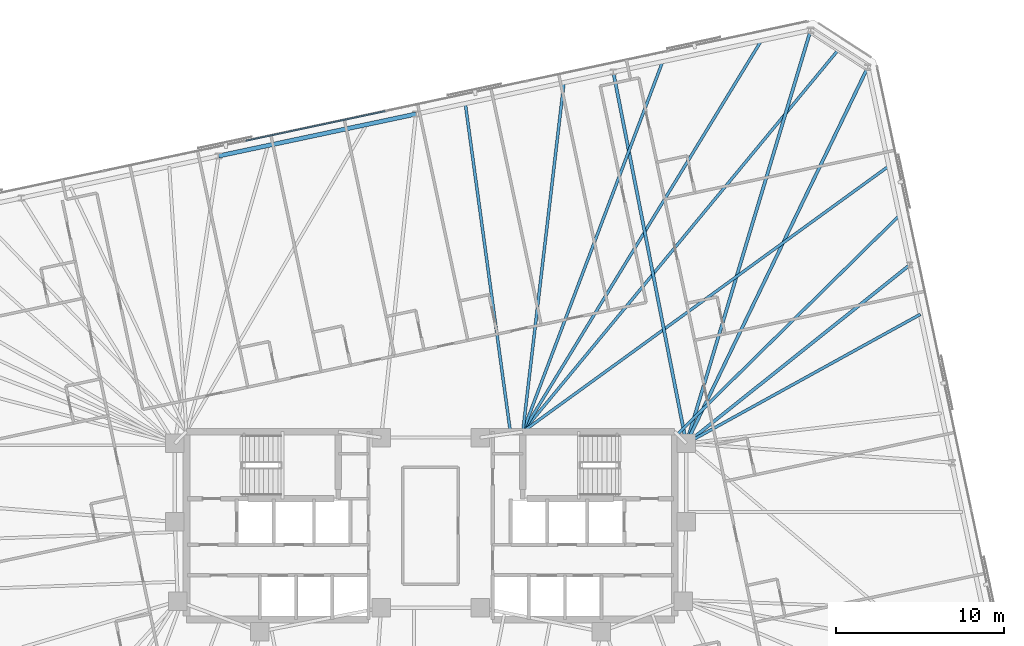
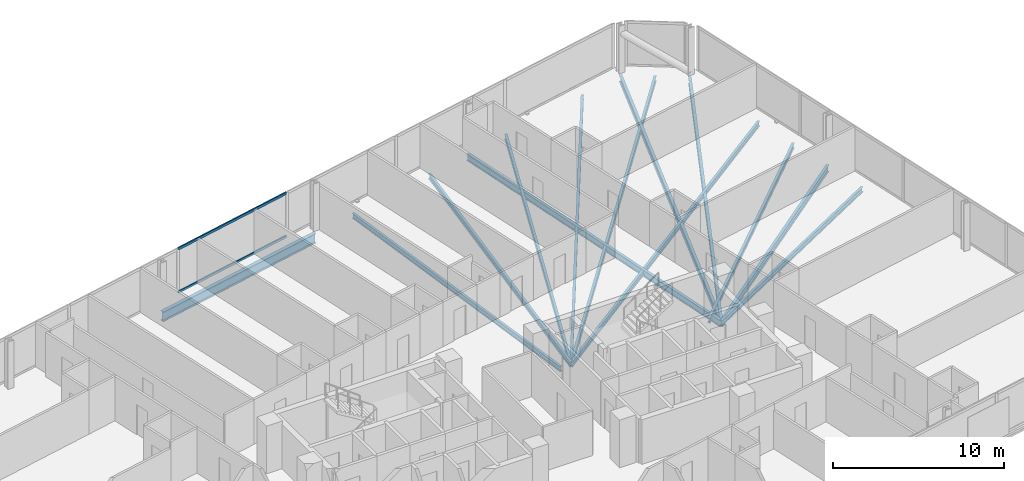
# One storey, part 10 of 20: 13 beams, 2 members, 1 element without a shape of its own.
"""IFC4 building model written with IfcOpenShell, lengths in metres."""

from ifc_helpers import new_model, si_unit, direction, frame, origin, origin_2d, place, context, subcontext, project, spatial, rectangle, i_section, extrude, material, material_profile, profile_set, type_object, element, aggregate, save


model = new_model("IFC4")

# Units and contexts
model_context = context("Model", 3, precision=1e-05, world=origin(), true_north=direction((0.0, 1.0)))
body_context = subcontext(model_context, "Body", "Model", "MODEL_VIEW")
ifc_project = project(units=[si_unit("LENGTHUNIT", "METRE"), si_unit("AREAUNIT", "SQUARE_METRE"), si_unit("VOLUMEUNIT", "CUBIC_METRE"), si_unit("PLANEANGLEUNIT", "RADIAN"), si_unit("MASSUNIT", "GRAM", prefix="KILO")], contexts=[model_context])

# Site, building, storey
site_placement = place(None, origin())
site = spatial("IfcSite", under=ifc_project, at=site_placement, CompositionType="ELEMENT")
building_placement = place(site_placement, origin())
building = spatial("IfcBuilding", under=site, at=building_placement, Name="Menara Jurai Vektor", CompositionType="ELEMENT")
storey_placement = place(building_placement, frame((0.0, 0.0, 185.39990234375)))
storey = spatial("IfcBuildingStorey", under=building, at=storey_placement, Name="L48", CompositionType="ELEMENT", Elevation=185.39990234375)

# Curtain wall, members
ifc_material_1 = material(Name="Anodised Pale Aluminium & Low-E Double Glazing", Category="aluminium")
curtain_wall_type = type_object("IfcCurtainWallType", Name="CW-BLK3", PredefinedType="NOTDEFINED", material=ifc_material_1)
curtain_wall_placement = place(storey_placement, origin())
curtain_wall = element("IfcCurtainWall", 1, at=curtain_wall_placement, inside=storey, type_object=curtain_wall_type, Name="Unitised Curtain Wall L48 F05", PredefinedType="NOTDEFINED")
ifc_material_2 = material(Name="Anodised Pale Aluminium Transom", Category="aluminium")
ifc_material_profile_1 = material_profile(ifc_material_2, rectangle(XDim=0.0849609375, YDim=0.175048828125, at=origin_2d()), Name="ALU TRN 85x175")
ifc_profile_set_1 = profile_set([ifc_material_profile_1], Name="Anodised Pale Aluminium Transom")
member_type = type_object("IfcMemberType", Name="CW-BLK3-TRN", PredefinedType="USERDEFINED", material=ifc_profile_set_1)
member_1_placement = place(storey_placement, frame((-2.716796875, 24.712890625, 0.04248046875), z_axis=(-0.978153589924, -0.207883511896, 0.0), x_axis=(0.207883511896, -0.978153589924, 0.0)))
member_1 = element("IfcMember", 2, at=member_1_placement, type_object=member_type, Name="CW-03 transom 4.1", ObjectType="TRANSOM", PredefinedType="USERDEFINED", context=body_context, shape_type="SweptSolid", body=[
    extrude(rectangle(XDim=0.0849609375, YDim=0.175048828125, at=origin_2d()), origin(), (0.0, 0.0, 1.0), 8.4921875),
])
member_2_placement = place(storey_placement, frame((-2.716796875, 24.712890625, 3.132568359375), z_axis=(-0.978153589924, -0.207883511896, 0.0), x_axis=(0.207883511896, -0.978153589924, 0.0)))
member_2 = element("IfcMember", 3, at=member_2_placement, type_object=member_type, Name="CW-03 transom 4.2", ObjectType="TRANSOM", PredefinedType="USERDEFINED", context=body_context, shape_type="SweptSolid", body=[
    extrude(rectangle(XDim=0.0849609375, YDim=0.175048828125, at=origin_2d()), origin(), (0.0, 0.0, 1.0), 8.4921875),
])
aggregate(curtain_wall, [member_1, member_2])

# Beams
ifc_material_3 = material(Name="Steel S355", Category="steel")
ifc_material_profile_2 = material_profile(ifc_material_3, i_section(OverallWidth=0.19091796875, OverallDepth=0.4599609375, WebThickness=0.010009765625, FlangeThickness=0.01611328125, FilletRadius=0.010009765625, at=origin_2d()), Name="UKB 457x191x82")
ifc_profile_set_2 = profile_set([ifc_material_profile_2], Name="Steel S355")
beam_type_1 = type_object("IfcBeamType", Name="STR-BM-457", PredefinedType="BEAM", material=ifc_profile_set_2)
beam_1_placement = place(storey_placement, frame((28.5771484375, 15.544921875, -0.454833984375), z_axis=(-0.781346163898, -0.624097886683, 0.0), x_axis=(0.624097886683, -0.781346163898, 0.0)))
element("IfcBeam", 4, at=beam_1_placement, inside=storey, type_object=beam_type_1, Name="Radial Floor Girder L48-E3", PredefinedType="BEAM", context=body_context, shape_type="SweptSolid", body=[
    extrude(i_section(OverallWidth=0.19091796875, OverallDepth=0.4599609375, WebThickness=0.010009765625, FlangeThickness=0.01611328125, FilletRadius=0.010009765625, at=origin_2d()), origin(), (0.0, 0.0, 1.0), 17.056640625),
])
beam_2_placement = place(storey_placement, frame((26.0712890625, 27.33349609375, -0.454833984375), z_axis=(-0.434465059539, -0.900688687639, 0.0), x_axis=(0.900688687639, -0.434465059539, 0.0)))
element("IfcBeam", 5, at=beam_2_placement, inside=storey, type_object=beam_type_1, Name="Radial Floor Girder L48-E4", PredefinedType="BEAM", context=body_context, shape_type="SweptSolid", body=[
    extrude(i_section(OverallWidth=0.19091796875, OverallDepth=0.4599609375, WebThickness=0.010009765625, FlangeThickness=0.01611328125, FilletRadius=0.010009765625, at=origin_2d()), origin(), (0.0, 0.0, 1.0), 24.9072265625),
])
beam_3_placement = place(storey_placement, frame((22.664794921875, 29.545654296875, -0.454833984375), z_axis=(-0.288098843548, -0.957600676872, 0.0), x_axis=(0.957600676872, -0.288098843548, 0.0)))
element("IfcBeam", 6, at=beam_3_placement, inside=storey, type_object=beam_type_1, Name="Radial Floor Girder L48-N1", PredefinedType="BEAM", context=body_context, shape_type="SweptSolid", body=[
    extrude(i_section(OverallWidth=0.19091796875, OverallDepth=0.4599609375, WebThickness=0.010009765625, FlangeThickness=0.01611328125, FilletRadius=0.010009765625, at=origin_2d()), origin(), (0.0, 0.0, 1.0), 25.737060546875),
])
beam_4_placement = place(storey_placement, frame((10.896484375, 27.044189453125, -0.454833984375), z_axis=(0.192905075816, -0.981217423268, 0.0), x_axis=(0.981217423268, 0.192905075816, 0.0)))
element("IfcBeam", 7, at=beam_4_placement, inside=storey, type_object=beam_type_1, Name="Radial Floor Girder L48-N2", PredefinedType="BEAM", context=body_context, shape_type="SweptSolid", body=[
    extrude(i_section(OverallWidth=0.19091796875, OverallDepth=0.4599609375, WebThickness=0.010009765625, FlangeThickness=0.01611328125, FilletRadius=0.010009765625, at=origin_2d()), origin(), (0.0, 0.0, 1.0), 22.568115234375),
])
ifc_material_profile_3 = material_profile(ifc_material_3, i_section(OverallWidth=0.172119140625, OverallDepth=0.35498046875, WebThickness=0.007080078125, FlangeThickness=0.011962890625, FilletRadius=0.010009765625, at=origin_2d()), Name="UKB 356x171x51")
ifc_profile_set_3 = profile_set([ifc_material_profile_3], Name="Steel S355")
beam_type_2 = type_object("IfcBeamType", Name="STR-JS-356", PredefinedType="JOIST", material=ifc_profile_set_3)
beam_5_placement = place(storey_placement, frame((29.20361328125, 12.597900390625, -0.40234375), z_axis=(-0.875592207488, -0.483051018202, 0.0), x_axis=(0.483051018202, -0.875592207488, 0.0)))
element("IfcBeam", 8, at=beam_5_placement, inside=storey, type_object=beam_type_2, Name="Radial Secondary Floor Joist L48-JS14", PredefinedType="JOIST", context=body_context, shape_type="SweptSolid", body=[
    extrude(i_section(OverallWidth=0.172119140625, OverallDepth=0.35498046875, WebThickness=0.007080078125, FlangeThickness=0.011962890625, FilletRadius=0.010009765625, at=origin_2d()), origin(), (0.0, 0.0, 1.0), 15.936279296875),
])
beam_6_placement = place(storey_placement, frame((27.95068359375, 18.4921875, -0.40234375), z_axis=(-0.712171791789, -0.702005227174, 0.0), x_axis=(0.702005227174, -0.712171791789, 0.0)))
element("IfcBeam", 9, at=beam_6_placement, inside=storey, type_object=beam_type_2, Name="Radial Secondary Floor Joist L48-JS15", PredefinedType="JOIST", context=body_context, shape_type="SweptSolid", body=[
    extrude(i_section(OverallWidth=0.172119140625, OverallDepth=0.35498046875, WebThickness=0.007080078125, FlangeThickness=0.011962890625, FilletRadius=0.010009765625, at=origin_2d()), origin(), (0.0, 0.0, 1.0), 18.5869140625),
])
beam_7_placement = place(storey_placement, frame((27.32421875, 21.439208984375, -0.40234375), z_axis=(-0.809318640486, -0.587369847848, 0.0), x_axis=(0.587369847848, -0.809318640486, 0.0)))
element("IfcBeam", 10, at=beam_7_placement, inside=storey, type_object=beam_type_2, Name="Radial Secondary Floor Joist L48-JS16", PredefinedType="JOIST", context=body_context, shape_type="SweptSolid", body=[
    extrude(i_section(OverallWidth=0.172119140625, OverallDepth=0.35498046875, WebThickness=0.007080078125, FlangeThickness=0.011962890625, FilletRadius=0.010009765625, at=origin_2d()), origin(), (0.0, 0.0, 1.0), 26.966064453125),
])
beam_8_placement = place(storey_placement, frame((24.3681640625, 28.439697265625, -0.40234375), z_axis=(-0.636894863934, -0.770950667873, 0.0), x_axis=(0.770950667873, -0.636894863934, 0.0)))
element("IfcBeam", 11, at=beam_8_placement, inside=storey, type_object=beam_type_2, Name="Radial Secondary Floor Joist L48-JS17", PredefinedType="JOIST", context=body_context, shape_type="SweptSolid", body=[
    extrude(i_section(OverallWidth=0.172119140625, OverallDepth=0.35498046875, WebThickness=0.007080078125, FlangeThickness=0.011962890625, FilletRadius=0.010009765625, at=origin_2d()), origin(), (0.0, 0.0, 1.0), 29.625244140625),
])
beam_9_placement = place(storey_placement, frame((19.72265625, 28.92041015625, -0.40234375), z_axis=(-0.520686242997, -0.8537481106, 0.0), x_axis=(0.8537481106, -0.520686242997, 0.0)))
element("IfcBeam", 12, at=beam_9_placement, inside=storey, type_object=beam_type_2, Name="Radial Secondary Floor Joist L48-JS18", PredefinedType="JOIST", context=body_context, shape_type="SweptSolid", body=[
    extrude(i_section(OverallWidth=0.172119140625, OverallDepth=0.35498046875, WebThickness=0.007080078125, FlangeThickness=0.011962890625, FilletRadius=0.010009765625, at=origin_2d()), origin(), (0.0, 0.0, 1.0), 27.315185546875),
])
beam_10_placement = place(storey_placement, frame((13.838623046875, 27.669677734375, -0.40234375), z_axis=(-0.353446048928, -0.935454910991, 0.0), x_axis=(0.935454910991, -0.353446048928, 0.0)))
element("IfcBeam", 13, at=beam_10_placement, inside=storey, type_object=beam_type_2, Name="Radial Secondary Floor Joist L48-JS19", PredefinedType="JOIST", context=body_context, shape_type="SweptSolid", body=[
    extrude(i_section(OverallWidth=0.172119140625, OverallDepth=0.35498046875, WebThickness=0.007080078125, FlangeThickness=0.011962890625, FilletRadius=0.010009765625, at=origin_2d()), origin(), (0.0, 0.0, 1.0), 23.59228515625),
])
beam_11_placement = place(storey_placement, frame((7.95458984375, 26.4189453125, -0.40234375), z_axis=(-0.117091260338, -0.99312115915, 0.0), x_axis=(0.99312115915, -0.117091260338, 0.0)))
element("IfcBeam", 14, at=beam_11_placement, inside=storey, type_object=beam_type_2, Name="Radial Secondary Floor Joist L48-JS20", PredefinedType="JOIST", context=body_context, shape_type="SweptSolid", body=[
    extrude(i_section(OverallWidth=0.172119140625, OverallDepth=0.35498046875, WebThickness=0.007080078125, FlangeThickness=0.011962890625, FilletRadius=0.010009765625, at=origin_2d()), origin(), (0.0, 0.0, 1.0), 20.963134765625),
])
beam_12_placement = place(storey_placement, frame((2.0703125, 25.168212890625, -0.40234375), z_axis=(0.135985700778, -0.990710799973, 0.0), x_axis=(0.990710799973, 0.135985700778, 0.0)))
element("IfcBeam", 15, at=beam_12_placement, inside=storey, type_object=beam_type_2, Name="Radial Secondary Floor Joist L48-JS21", PredefinedType="JOIST", context=body_context, shape_type="SweptSolid", body=[
    extrude(i_section(OverallWidth=0.172119140625, OverallDepth=0.35498046875, WebThickness=0.007080078125, FlangeThickness=0.011962890625, FilletRadius=0.010009765625, at=origin_2d()), origin(), (0.0, 0.0, 1.0), 19.852783203125),
])
ifc_material_4 = material(Name="Steel S460", Category="steel")
ifc_material_profile_4 = material_profile(ifc_material_4, i_section(OverallWidth=0.256103515625, OverallDepth=0.693115234375, WebThickness=0.013916015625, FlangeThickness=0.02392578125, FilletRadius=0.014892578125, at=origin_2d()), Name="UKB 686x254x170")
ifc_profile_set_4 = profile_set([ifc_material_profile_4], Name="Steel S460")
beam_type_3 = type_object("IfcBeamType", Name="STR-SP-686", PredefinedType="SPANDREL", material=ifc_profile_set_4)
beam_13_placement = place(storey_placement, frame((-0.87158203125, 24.54296875, -0.5712890625), z_axis=(-0.978147039247, -0.207914332389, 0.0), x_axis=(0.207914332389, -0.978147039247, 0.0)))
element("IfcBeam", 16, at=beam_13_placement, inside=storey, type_object=beam_type_3, Name="Exoskeleton Spandrel Beam L48-13", PredefinedType="SPANDREL", context=body_context, shape_type="SweptSolid", body=[
    extrude(i_section(OverallWidth=0.256103515625, OverallDepth=0.693115234375, WebThickness=0.013916015625, FlangeThickness=0.02392578125, FilletRadius=0.014892578125, at=origin_2d()), origin(), (0.0, 0.0, 1.0), 12.03125),
])

save(model, "model.ifc")
